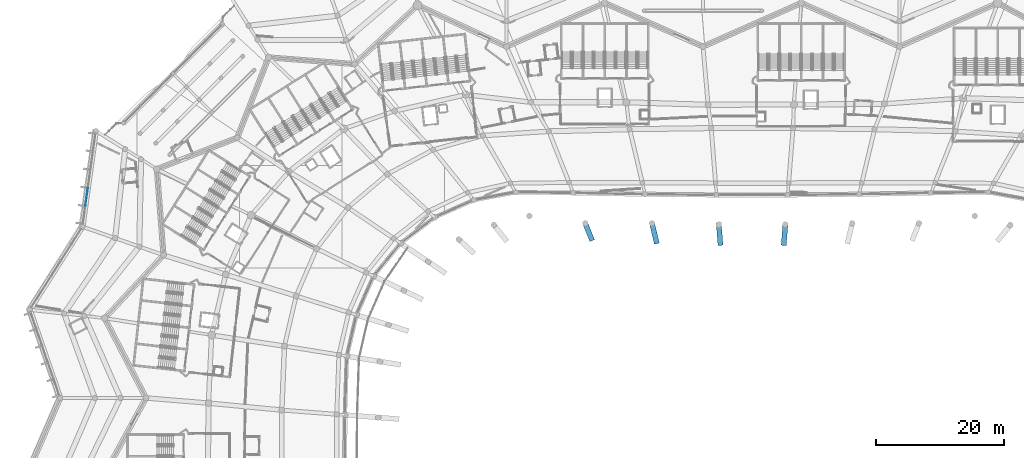
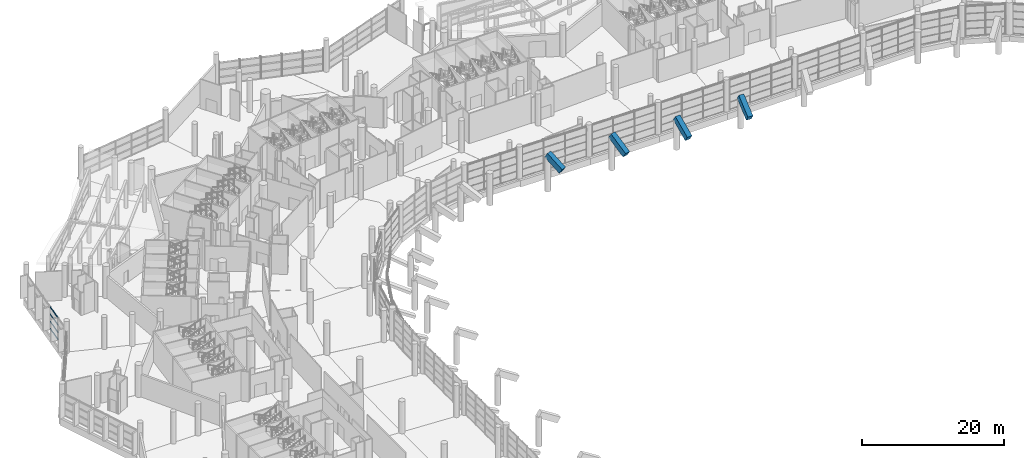
# One storey, part 77 of 271: 4 beams, 4 members, 1 element without a shape of its own.
"""IFC4 building model written with IfcOpenShell, lengths in metres."""

from ifc_helpers import new_model, si_unit, direction, frame, origin, origin_2d, place, context, subcontext, project, spatial, rectangle, extrude, material, layer, layer_set, material_profile, profile_set, type_object, element, aggregate, save


model = new_model("IFC4")

# Units and contexts
model_context = context("Model", 3, precision=1e-05, world=origin(), true_north=direction((0.0, 1.0)))
body_context = subcontext(model_context, "Body", "Model", "MODEL_VIEW")
ifc_project = project(units=[si_unit("LENGTHUNIT", "METRE"), si_unit("AREAUNIT", "SQUARE_METRE"), si_unit("VOLUMEUNIT", "CUBIC_METRE"), si_unit("PLANEANGLEUNIT", "RADIAN"), si_unit("MASSUNIT", "GRAM", prefix="KILO")], contexts=[model_context])

# Site, building, storey
site_placement = place(None, origin())
site = spatial("IfcSite", under=ifc_project, at=site_placement, CompositionType="ELEMENT")
building_placement = place(site_placement, origin())
building = spatial("IfcBuilding", under=site, at=building_placement, Name="Meseta Stadium", CompositionType="ELEMENT")
storey_placement = place(building_placement, frame((0.0, 0.0, 6.5)))
storey = spatial("IfcBuildingStorey", under=building, at=storey_placement, Name="L01", CompositionType="ELEMENT", Elevation=6.5)

# Beams
ifc_material_1 = material(Name="Concrete C40/50", Category="concrete")
ifc_material_profile_1 = material_profile(ifc_material_1, rectangle(XDim=0.800048828125, YDim=1.0, at=origin_2d()), Name="RC 800x1000")
ifc_profile_set_1 = profile_set([ifc_material_profile_1], Name="Concrete C40/50")
beam_type = type_object("IfcBeamType", Name="RC raker upper front 800x1000", PredefinedType="USERDEFINED", material=ifc_profile_set_1)
for number, where, z_axis, x_axis, name in (
    (1, (4.955078125, 67.83349609375, 3.49755859375), (0.067134881772, 0.846092902986, 0.528790797164), (-0.996866818649, 0.079098330427, 0.0), "Raker upper front frame 18 upper tier"),
    (2, (-4.955078125, 67.83349609375, 3.49755859375), (-0.067134881772, 0.846092902986, 0.528790797164), (-0.996866818649, -0.079098330427, 0.0), "Raker upper front frame 19 upper tier"),
):
    element("IfcBeam", number, at=place(storey_placement, frame(where, z_axis=z_axis, x_axis=x_axis)), inside=storey, type_object=beam_type, Name=name, ObjectType="RAKER", PredefinedType="USERDEFINED", context=body_context, shape_type="SweptSolid", body=[
        extrude(rectangle(XDim=0.800048828125, YDim=1.0, at=origin_2d()), origin(), (0.0, 0.0, 1.0), 3.53466796875),
    ])
beam_1_placement = place(storey_placement, frame((-14.92626953125, 68.09033203125, 4.0654296875), z_axis=(-0.196559900725, 0.825606835303, 0.528902220574), x_axis=(-0.972809707254, -0.231605858026, 0.0)))
element("IfcBeam", 3, at=beam_1_placement, inside=storey, type_object=beam_type, Name="Raker upper front frame 20 upper tier", ObjectType="RAKER", PredefinedType="USERDEFINED", context=body_context, shape_type="SweptSolid", body=[
    extrude(rectangle(XDim=0.800048828125, YDim=1.0, at=origin_2d()), origin(), (0.0, 0.0, 1.0), 3.534912109375),
])
beam_2_placement = place(storey_placement, frame((-25.060791015625, 68.552978515625, 4.59375), z_axis=(-0.313018455476, 0.788765825572, 0.529025442622), x_axis=(-0.929484188921, -0.368861955948, 0.0)))
element("IfcBeam", 4, at=beam_2_placement, inside=storey, type_object=beam_type, Name="Raker upper front frame 21 upper tier", ObjectType="RAKER", PredefinedType="USERDEFINED", context=body_context, shape_type="SweptSolid", body=[
    extrude(rectangle(XDim=0.800048828125, YDim=1.0, at=origin_2d()), origin(), (0.0, 0.0, 1.0), 3.12060546875),
])

# Curtain wall, members
ifc_material_2 = material(Name="Aluminium", Category="aluminium")
ifc_layer = layer(ifc_material_2, 0.199951171875)
ifc_layer_set = layer_set([ifc_layer], Name="Ring shopfront curtain wall")
curtain_wall_type = type_object("IfcCurtainWallType", Name="Ring shopfront curtain wall", PredefinedType="NOTDEFINED", material=ifc_layer_set)
curtain_wall_placement = place(storey_placement, origin())
curtain_wall = element("IfcCurtainWall", 5, at=curtain_wall_placement, inside=storey, type_object=curtain_wall_type, Name="Ring glazing L01 F26", PredefinedType="NOTDEFINED")
ifc_material_3 = material(Name="Aluminium", Category="aluminium")
ifc_material_profile_2 = material_profile(ifc_material_3, rectangle(XDim=0.06005859375, YDim=0.14990234375, at=origin_2d()), Name="CW 60x150")
ifc_profile_set_2 = profile_set([ifc_material_profile_2], Name="Aluminium")
member_type = type_object("IfcMemberType", Name="Ring CW transom 60x150", PredefinedType="USERDEFINED", material=ifc_profile_set_2)
member_1_placement = place(storey_placement, frame((-103.67529296875, 76.517333984375, 0.074951171875), z_axis=(-0.138593199503, -0.990349395442, 0.0), x_axis=(0.990349395442, -0.138593199503, 0.0)))
member_1 = element("IfcMember", 6, at=member_1_placement, type_object=member_type, Name="CWR1 transom 4.1", ObjectType="TRANSOM", PredefinedType="USERDEFINED", context=body_context, shape_type="SweptSolid", body=[
    extrude(rectangle(XDim=0.06005859375, YDim=0.14990234375, at=origin_2d()), origin(), (0.0, 0.0, 1.0), 2.804443359375),
])
member_2_placement = place(storey_placement, frame((-103.67529296875, 76.517333984375, 1.283447265625), z_axis=(-0.138593199503, -0.990349395442, 0.0), x_axis=(0.990349395442, -0.138593199503, 0.0)))
member_2 = element("IfcMember", 7, at=member_2_placement, type_object=member_type, Name="CWR1 transom 4.2", ObjectType="TRANSOM", PredefinedType="USERDEFINED", context=body_context, shape_type="SweptSolid", body=[
    extrude(rectangle(XDim=0.06005859375, YDim=0.14990234375, at=origin_2d()), origin(), (0.0, 0.0, 1.0), 2.804443359375),
])
member_3_placement = place(storey_placement, frame((-103.67529296875, 76.517333984375, 2.566650390625), z_axis=(-0.138593199503, -0.990349395442, 0.0), x_axis=(0.990349395442, -0.138593199503, 0.0)))
member_3 = element("IfcMember", 8, at=member_3_placement, type_object=member_type, Name="CWR1 transom 4.3", ObjectType="TRANSOM", PredefinedType="USERDEFINED", context=body_context, shape_type="SweptSolid", body=[
    extrude(rectangle(XDim=0.06005859375, YDim=0.14990234375, at=origin_2d()), origin(), (0.0, 0.0, 1.0), 2.804443359375),
])
member_4_placement = place(storey_placement, frame((-103.67529296875, 76.517333984375, 3.77490234375), z_axis=(-0.138593199503, -0.990349395442, 0.0), x_axis=(0.990349395442, -0.138593199503, 0.0)))
member_4 = element("IfcMember", 9, at=member_4_placement, type_object=member_type, Name="CWR1 transom 4.4", ObjectType="TRANSOM", PredefinedType="USERDEFINED", context=body_context, shape_type="SweptSolid", body=[
    extrude(rectangle(XDim=0.06005859375, YDim=0.14990234375, at=origin_2d()), origin(), (0.0, 0.0, 1.0), 2.804443359375),
])
aggregate(curtain_wall, [member_1, member_2, member_3, member_4])

save(model, "model.ifc")
